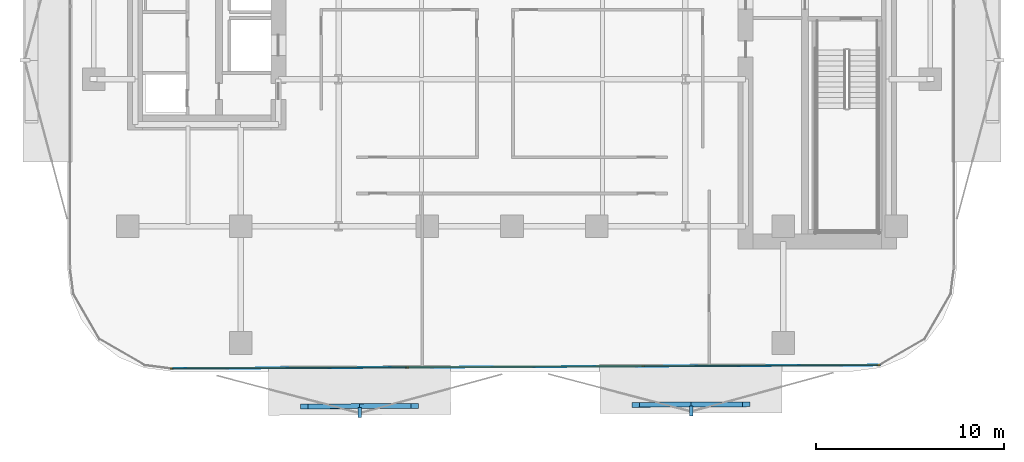
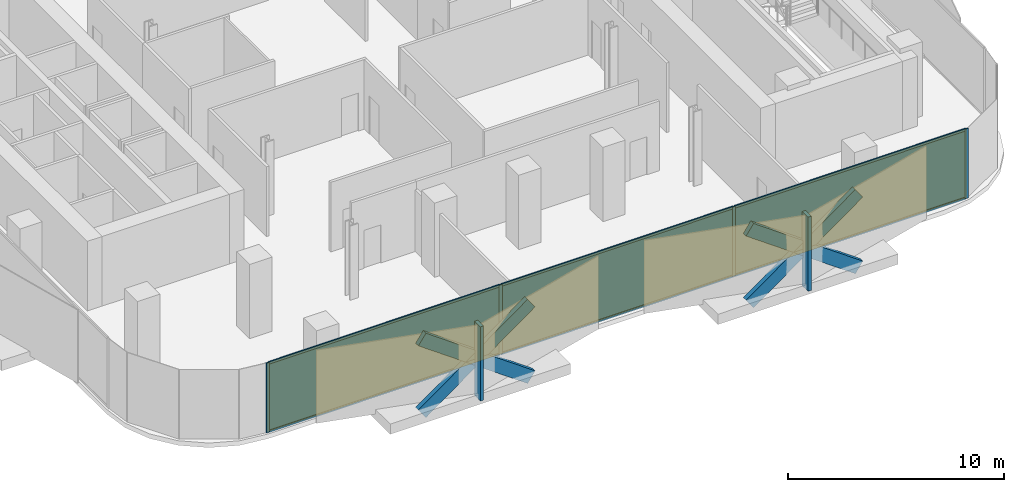
# One storey, part 7 of 15: 16 members, 3 plates, 1 curtain wall.
"""IFC4 building model written with IfcOpenShell, lengths in metres."""

from ifc_helpers import new_model, si_unit, direction, frame, frame_2d, origin, origin_2d, place, context, subcontext, project, spatial, rectangle, extrude, material, layer, layer_set, material_profile, profile_set, type_object, element, aggregate, save


model = new_model("IFC4")

# Units and contexts
model_context = context("Model", 3, precision=1e-05, world=origin(), true_north=direction((0.0, 1.0)))
body_context = subcontext(model_context, "Body", "Model", "MODEL_VIEW")
ifc_project = project(units=[si_unit("LENGTHUNIT", "METRE"), si_unit("AREAUNIT", "SQUARE_METRE"), si_unit("VOLUMEUNIT", "CUBIC_METRE"), si_unit("PLANEANGLEUNIT", "RADIAN"), si_unit("MASSUNIT", "GRAM", prefix="KILO")], contexts=[model_context])

# Member
ifc_material_1 = material(Name="Anodised Bronze Aluminium 6063-T6", Category="aluminium")
ifc_material_profile_1 = material_profile(ifc_material_1, rectangle(XDim=0.260009765625, YDim=0.699951171875, at=origin_2d()))
ifc_profile_set_1 = profile_set([ifc_material_profile_1], Name="Anodised Bronze Aluminium 6063-T6")
member_type_1 = type_object("IfcMemberType", Name="Bronze Diamond Solar-Screen Lattice Rib BDL-700", PredefinedType="MULLION", material=ifc_profile_set_1)
site_placement = place(None, origin())
building_placement = place(site_placement, origin())
storey_placement = place(building_placement, frame((0.0, 0.0, 110.0)))
member_1_placement = place(storey_placement, frame((12.43408203125, -28.05078125, -0.1298828125), z_axis=(-0.812934950133, -0.003960582518, 0.582341034651), x_axis=(-0.007717649091, 0.999962326742, -0.003972780951)))
member_1 = element("IfcMember", 1, at=member_1_placement, type_object=member_type_1, Name="L25 Bronze Diamond Solar Screen Lattice Rib 145A", PredefinedType="MULLION", context=body_context, shape_type="SweptSolid", body=[
    extrude(rectangle(XDim=0.260009765625, YDim=0.699951171875, at=origin_2d()), origin(), (0.0, 0.0, 1.0), 7.212158203125),
])

member_2_placement = place(storey_placement, frame((6.571044921875, -28.079345703125, -0.1298828125), z_axis=(0.812934950133, 0.003960582518, 0.582341034651), x_axis=(0.007717649091, -0.999962326742, -0.003972780951)))
member_2 = element("IfcMember", 2, at=member_2_placement, type_object=member_type_1, Name="L25 Bronze Diamond Solar Screen Lattice Rib 145B", PredefinedType="MULLION", context=body_context, shape_type="SweptSolid", body=[
    extrude(rectangle(XDim=0.260009765625, YDim=0.699951171875, at=origin_2d()), origin(), (0.0, 0.0, 1.0), 7.212158203125),
])

member_3_placement = place(storey_placement, frame((-5.15478515625, -28.13671875, -0.1298828125), z_axis=(-0.812934950133, -0.003960582518, 0.582341034651), x_axis=(-0.007717649091, 0.999962326742, -0.003972780951)))
member_3 = element("IfcMember", 3, at=member_3_placement, type_object=member_type_1, Name="L25 Bronze Diamond Solar Screen Lattice Rib 146A", PredefinedType="MULLION", context=body_context, shape_type="SweptSolid", body=[
    extrude(rectangle(XDim=0.260009765625, YDim=0.699951171875, at=origin_2d()), origin(), (0.0, 0.0, 1.0), 7.212158203125),
])

member_4_placement = place(storey_placement, frame((-11.017822265625, -28.165283203125, -0.1298828125), z_axis=(0.812934950133, 0.003960582518, 0.582341034651), x_axis=(0.007717649091, -0.999962326742, -0.003972780951)))
member_4 = element("IfcMember", 4, at=member_4_placement, type_object=member_type_1, Name="L25 Bronze Diamond Solar Screen Lattice Rib 146B", PredefinedType="MULLION", context=body_context, shape_type="SweptSolid", body=[
    extrude(rectangle(XDim=0.260009765625, YDim=0.699951171875, at=origin_2d()), origin(), (0.0, 0.0, 1.0), 7.212158203125),
])

ifc_material_2 = material(Name="Anodised Bronze Aluminium 6063-T6", Category="aluminium")
ifc_material_profile_2 = material_profile(ifc_material_2, rectangle(XDim=0.179931640625, YDim=0.5400390625, at=origin_2d()))
ifc_profile_set_2 = profile_set([ifc_material_profile_2], Name="Anodised Bronze Aluminium 6063-T6")
member_type_2 = type_object("IfcMemberType", Name="Bronze Solar-Screen Vertical Fold Fin BSF-540", PredefinedType="MULLION", material=ifc_profile_set_2)
member_5_placement = place(storey_placement, frame((9.504150390625, -28.405029296875, -0.1298828125), z_axis=(0.0, 0.0, 1.0), x_axis=(-0.999988059021, -0.004886902454, 0.0)))
member_5 = element("IfcMember", 5, at=member_5_placement, type_object=member_type_2, Name="L25 Bronze Solar Screen Vertical Fin 145", PredefinedType="MULLION", context=body_context, shape_type="SweptSolid", body=[
    extrude(rectangle(XDim=0.179931640625, YDim=0.5400390625, at=origin_2d()), origin(), (0.0, 0.0, 1.0), 4.199951171875),
])

member_6_placement = place(storey_placement, frame((-8.084716796875, -28.4912109375, -0.1298828125), z_axis=(0.0, 0.0, 1.0), x_axis=(-0.999988059021, -0.004886902454, 0.0)))
member_6 = element("IfcMember", 6, at=member_6_placement, type_object=member_type_2, Name="L25 Bronze Solar Screen Vertical Fin 146", PredefinedType="MULLION", context=body_context, shape_type="SweptSolid", body=[
    extrude(rectangle(XDim=0.179931640625, YDim=0.5400390625, at=origin_2d()), origin(), (0.0, 0.0, 1.0), 4.199951171875),
])

ifc_material_3 = material(Name="Anodised Bronze Aluminium 6063-T6", Category="aluminium")
ifc_material_profile_3 = material_profile(ifc_material_3, rectangle(XDim=0.06494140625, YDim=0.175048828125, at=origin_2d()))
ifc_profile_set_3 = profile_set([ifc_material_profile_3], Name="Anodised Bronze Aluminium 6063-T6")
member_type_3 = type_object("IfcMemberType", Name="CW-Z2 Mullion 65x175", PredefinedType="MULLION", material=ifc_profile_set_3)
member_7_placement = place(storey_placement, frame((19.45458984375, -25.976318359375, 0.0), z_axis=(0.0, 0.0, 1.0), x_axis=(0.004891127252, -0.999988038366, 0.0)))
member_7 = element("IfcMember", 7, at=member_7_placement, type_object=member_type_3, Name="CW-Z2 mullion 1", PredefinedType="MULLION", context=body_context, shape_type="SweptSolid", body=[
    extrude(rectangle(XDim=0.06494140625, YDim=0.175048828125, at=origin_2d()), origin(), (0.0, 0.0, 1.0), 3.93994140625),
])

member_8_placement = place(storey_placement, frame((6.961181640625, -26.037353515625, 0.0), z_axis=(0.0, 0.0, 1.0), x_axis=(0.004891127252, -0.999988038366, 0.0)))
member_8 = element("IfcMember", 8, at=member_8_placement, type_object=member_type_3, Name="CW-Z2 mullion 2", PredefinedType="MULLION", context=body_context, shape_type="SweptSolid", body=[
    extrude(rectangle(XDim=0.06494140625, YDim=0.175048828125, at=origin_2d()), origin(), (0.0, 0.0, 1.0), 3.93994140625),
])

member_9_placement = place(storey_placement, frame((-5.56494140625, -26.0986328125, 0.0), z_axis=(0.0, 0.0, 1.0), x_axis=(0.004891127252, -0.999988038366, 0.0)))
member_9 = element("IfcMember", 9, at=member_9_placement, type_object=member_type_3, Name="CW-Z2 mullion 3", PredefinedType="MULLION", context=body_context, shape_type="SweptSolid", body=[
    extrude(rectangle(XDim=0.06494140625, YDim=0.175048828125, at=origin_2d()), origin(), (0.0, 0.0, 1.0), 3.93994140625),
])

member_10_placement = place(storey_placement, frame((-18.058349609375, -26.159912109375, 0.0), z_axis=(0.0, 0.0, 1.0), x_axis=(0.004891127252, -0.999988038366, 0.0)))
member_10 = element("IfcMember", 10, at=member_10_placement, type_object=member_type_3, Name="CW-Z2 mullion 4", PredefinedType="MULLION", context=body_context, shape_type="SweptSolid", body=[
    extrude(rectangle(XDim=0.06494140625, YDim=0.175048828125, at=origin_2d()), origin(), (0.0, 0.0, 1.0), 3.93994140625),
])

ifc_material_4 = material(Name="Anodised Bronze Aluminium 6063-T6", Category="aluminium")
ifc_material_profile_4 = material_profile(ifc_material_4, rectangle(XDim=0.06494140625, YDim=0.135009765625, at=origin_2d()))
ifc_profile_set_4 = profile_set([ifc_material_profile_4], Name="Anodised Bronze Aluminium 6063-T6")
member_type_4 = type_object("IfcMemberType", Name="CW-Z2 Transom 65x135", PredefinedType="USERDEFINED", material=ifc_profile_set_4)
member_11_placement = place(storey_placement, frame((19.422119140625, -25.9765625, 0.032470703125), z_axis=(-0.999988037942, -0.00489121381, 0.0), x_axis=(0.00489121381, -0.999988037942, 0.0)))
member_11 = element("IfcMember", 11, at=member_11_placement, type_object=member_type_4, Name="CW-Z2 transom 1.1", ObjectType="TRANSOM", PredefinedType="USERDEFINED", context=body_context, shape_type="SweptSolid", body=[
    extrude(rectangle(XDim=0.06494140625, YDim=0.135009765625, at=origin_2d()), origin(), (0.0, 0.0, 1.0), 12.4287109375),
])

member_12_placement = place(storey_placement, frame((19.422119140625, -25.9765625, 3.907470703125), z_axis=(-0.999988037942, -0.00489121381, 0.0), x_axis=(0.00489121381, -0.999988037942, 0.0)))
member_12 = element("IfcMember", 12, at=member_12_placement, type_object=member_type_4, Name="CW-Z2 transom 1.2", ObjectType="TRANSOM", PredefinedType="USERDEFINED", context=body_context, shape_type="SweptSolid", body=[
    extrude(rectangle(XDim=0.06494140625, YDim=0.135009765625, at=origin_2d()), origin(), (0.0, 0.0, 1.0), 12.4287109375),
])

member_13_placement = place(storey_placement, frame((6.928466796875, -26.03759765625, 0.032470703125), z_axis=(-0.99998800443, -0.004898060367, 0.0), x_axis=(0.004898060367, -0.99998800443, 0.0)))
member_13 = element("IfcMember", 13, at=member_13_placement, type_object=member_type_4, Name="CW-Z2 transom 2.1", ObjectType="TRANSOM", PredefinedType="USERDEFINED", context=body_context, shape_type="SweptSolid", body=[
    extrude(rectangle(XDim=0.06494140625, YDim=0.135009765625, at=origin_2d()), origin(), (0.0, 0.0, 1.0), 12.461181640625),
])

member_14_placement = place(storey_placement, frame((6.928466796875, -26.03759765625, 3.907470703125), z_axis=(-0.99998800443, -0.004898060367, 0.0), x_axis=(0.004898060367, -0.99998800443, 0.0)))
member_14 = element("IfcMember", 14, at=member_14_placement, type_object=member_type_4, Name="CW-Z2 transom 2.2", ObjectType="TRANSOM", PredefinedType="USERDEFINED", context=body_context, shape_type="SweptSolid", body=[
    extrude(rectangle(XDim=0.06494140625, YDim=0.135009765625, at=origin_2d()), origin(), (0.0, 0.0, 1.0), 12.461181640625),
])

member_15_placement = place(storey_placement, frame((-5.597412109375, -26.098876953125, 0.032470703125), z_axis=(-0.999988037942, -0.00489121381, 0.0), x_axis=(0.00489121381, -0.999988037942, 0.0)))
member_15 = element("IfcMember", 15, at=member_15_placement, type_object=member_type_4, Name="CW-Z2 transom 3.1", ObjectType="TRANSOM", PredefinedType="USERDEFINED", context=body_context, shape_type="SweptSolid", body=[
    extrude(rectangle(XDim=0.06494140625, YDim=0.135009765625, at=origin_2d()), origin(), (0.0, 0.0, 1.0), 12.4287109375),
])

member_16_placement = place(storey_placement, frame((-5.597412109375, -26.098876953125, 3.907470703125), z_axis=(-0.999988037942, -0.00489121381, 0.0), x_axis=(0.00489121381, -0.999988037942, 0.0)))
member_16 = element("IfcMember", 16, at=member_16_placement, type_object=member_type_4, Name="CW-Z2 transom 3.2", ObjectType="TRANSOM", PredefinedType="USERDEFINED", context=body_context, shape_type="SweptSolid", body=[
    extrude(rectangle(XDim=0.06494140625, YDim=0.135009765625, at=origin_2d()), origin(), (0.0, 0.0, 1.0), 12.4287109375),
])

# Plate
ifc_material_5 = material(Name="Low-E Solar Control Laminated Glass", Category="glass")
ifc_layer_1 = layer(ifc_material_5, 0.028076171875, Name="Low-E Solar Control Laminated Glass")
ifc_layer_set_1 = layer_set([ifc_layer_1], Name="Low-E Solar Control Laminated Glass")
plate_type = type_object("IfcPlateType", Name="CW-Z2 Low-E Double Glazed Panel 28mm", PredefinedType="CURTAIN_PANEL", material=ifc_layer_set_1)
plate_1_placement = place(storey_placement, frame((13.207763671875, -26.0068359375, 0.06494140625), z_axis=(0.0, 0.0, 1.0), x_axis=(-0.999988038366, -0.004891127252, 0.0)))
plate_1 = element("IfcPlate", 17, at=plate_1_placement, type_object=plate_type, Name="CW-Z2 panel 1.1", PredefinedType="CURTAIN_PANEL", context=body_context, shape_type="SweptSolid", body=[
    extrude(rectangle(XDim=12.428466796875, YDim=0.028076171875, at=origin_2d()), origin(), (0.0, 0.0, 1.0), 3.81005859375),
])

plate_2_placement = place(storey_placement, frame((0.697998046875, -26.068115234375, 0.06494140625), z_axis=(0.0, 0.0, 1.0), x_axis=(-0.999988038366, -0.004891127252, 0.0)))
plate_2 = element("IfcPlate", 18, at=plate_2_placement, type_object=plate_type, Name="CW-Z2 panel 2.1", PredefinedType="CURTAIN_PANEL", context=body_context, shape_type="SweptSolid", body=[
    extrude(rectangle(XDim=12.461181640625, YDim=0.028076171875, at=origin_2d()), origin(), (0.0, 0.0, 1.0), 3.81005859375),
])

plate_3_placement = place(storey_placement, frame((-11.8115234375, -26.12939453125, 0.06494140625), z_axis=(0.0, 0.0, 1.0), x_axis=(-0.999988038366, -0.004891127252, 0.0)))
plate_3 = element("IfcPlate", 19, at=plate_3_placement, type_object=plate_type, Name="CW-Z2 panel 3.1", PredefinedType="CURTAIN_PANEL", context=body_context, shape_type="SweptSolid", body=[
    extrude(rectangle(XDim=12.428466796875, YDim=0.028076171875, at=origin_2d()), origin(), (0.0, 0.0, 1.0), 3.81005859375),
])

# Site, building, storey
site = spatial("IfcSite", under=ifc_project, at=site_placement, CompositionType="ELEMENT")
building = spatial("IfcBuilding", under=site, at=building_placement, Name="Khairoan Windgate Tower", CompositionType="ELEMENT")
storey = spatial("IfcBuildingStorey", under=building, at=storey_placement, Name="L25", CompositionType="ELEMENT", Elevation=110.0)

# Curtain wall
ifc_material_6 = material(Name="Anodised Bronze Aluminium 6063-T6", Category="aluminium")
ifc_layer_2 = layer(ifc_material_6, 0.175048828125, Name="Anodised Bronze Aluminium 6063-T6")
ifc_layer_set_2 = layer_set([ifc_layer_2], Name="Anodised Bronze Aluminium 6063-T6")
curtain_wall_type = type_object("IfcCurtainWallType", Name="Mid-Rise Office Unitised Curtain Wall CW-Z2", PredefinedType="NOTDEFINED", material=ifc_layer_set_2)
curtain_wall_placement = place(storey_placement, frame((19.487060546875, -25.976318359375, 0.0), z_axis=(0.0, 0.0, 1.0), x_axis=(-0.999988065247, -0.004885628318, 0.0)))
curtain_wall = element("IfcCurtainWall", 20, at=curtain_wall_placement, inside=storey, type_object=curtain_wall_type, Name="L25 Unitised Curtain Wall 1", PredefinedType="NOTDEFINED", context=body_context, shape_type="SweptSolid", body=[
    extrude(rectangle(XDim=37.578369140625, YDim=0.010009765625, at=frame_2d((18.7890625, 0.0))), origin(), (0.0, 0.0, 1.0), 3.93994140625),
])

aggregate(curtain_wall, [member_7, member_8, member_9, member_10, member_11, member_12, plate_1, member_13, member_14, plate_2, member_15, member_16, plate_3, member_1, member_2, member_5, member_3, member_4, member_6])

save(model, "model.ifc")
